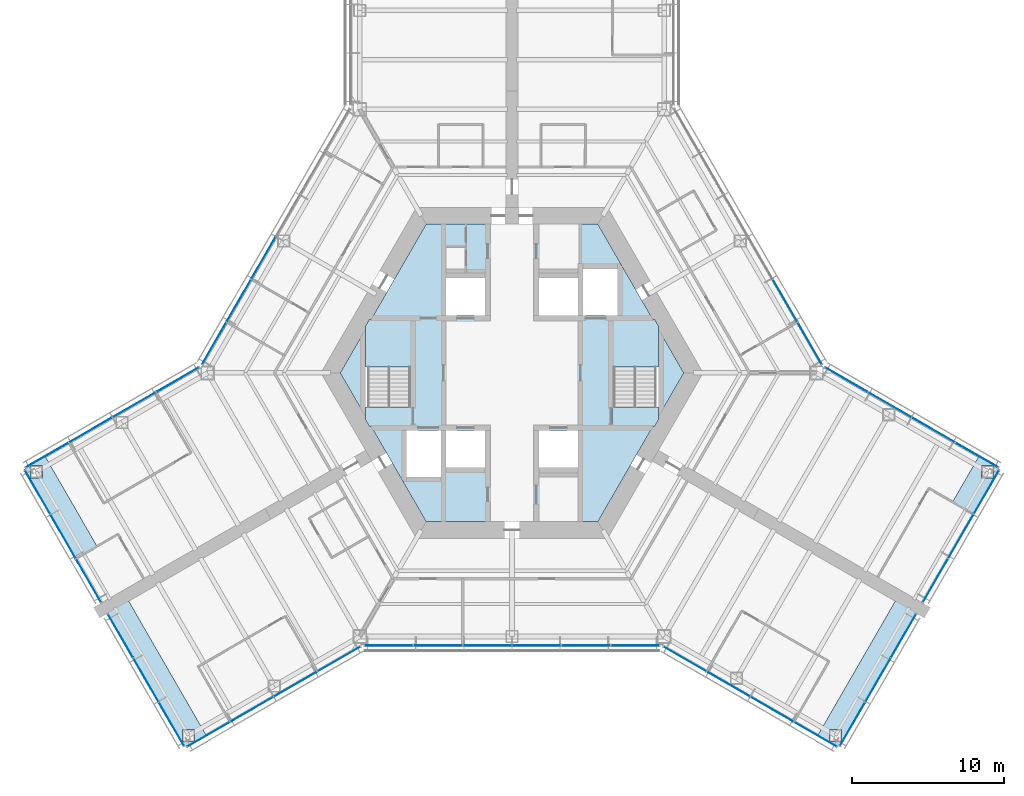
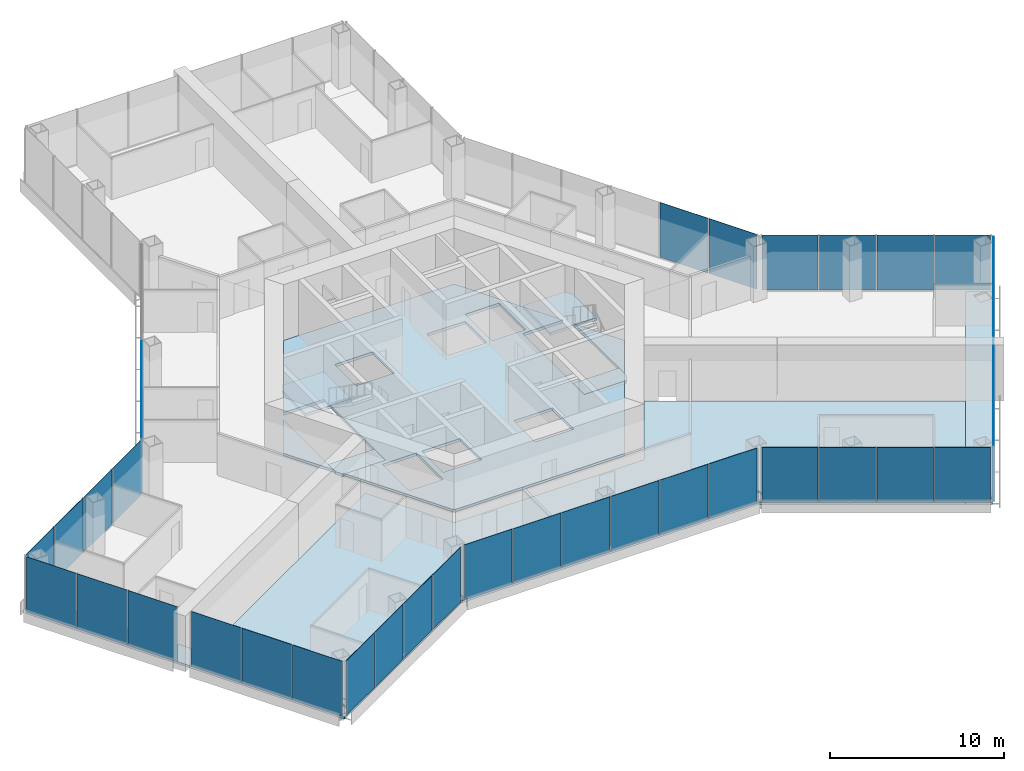
# One storey, part 10 of 18: 39 plates, 10 slabs, 13 elements without a shape of their own.
"""IFC4 building model written with IfcOpenShell, lengths in metres."""

import ifcopenshell
import ifcopenshell.guid

model = None  # the IFC model being written
_history = None  # IfcOwnerHistory: only IFC2X3 demands one
_inside = {}  # id of a spatial element -> (the spatial element, [elements in it])
_under = {}  # id of a project, library or spatial element -> (it, [spatial elements below it])
_declared = {}  # id of a project -> (the project, [libraries it declares])
_typed = {}  # id of a type object -> (the type object, [elements of that type])
_made_of = {}  # id of a material, layer set ... -> (it, [elements and type objects made of it])


def new_model(schema):
    """Start an empty IFC model of exactly this schema.

    Asked for "IFC4X3", IfcOpenShell would pick the latest addendum, in which some entities
    have other attributes; the version numbers below select the first issue.
    IFC2X3 requires an IfcOwnerHistory on every rooted entity: one is made here for all.
    """
    global model, _history
    if schema == "IFC4X3":
        model = ifcopenshell.file(schema_version=(4, 3, 0, 0))
    else:
        model = ifcopenshell.file(schema=schema)
    _inside.clear()
    _under.clear()
    _declared.clear()
    _typed.clear()
    _made_of.clear()
    _history = None
    if model.schema == "IFC2X3":
        org = make("IfcOrganization", Name="unknown")
        user = make(
            "IfcPersonAndOrganization",
            ThePerson=make("IfcPerson", FamilyName="unknown"),
            TheOrganization=org,
        )
        app = make(
            "IfcApplication",
            ApplicationDeveloper=org,
            Version="unknown",
            ApplicationFullName="unknown",
            ApplicationIdentifier="unknown",
        )
        _history = make(
            "IfcOwnerHistory",
            OwningUser=user,
            OwningApplication=app,
            ChangeAction="ADDED",
            CreationDate=0,
        )
    return model


def make(cls, **values):
    """One entity of the class cls with the attributes given. An attribute that is None is left unset."""
    return model.create_entity(
        cls, **{name: value for name, value in values.items() if value is not None}
    )


def rooted(cls, **values):
    """An entity with a GlobalId (a new one), such as an element, a storey or a relation."""
    return make(cls, GlobalId=ifcopenshell.guid.new(), OwnerHistory=_history, **values)


def si_unit(unit_type, name, prefix=None):
    """IfcSIUnit, for example si_unit("LENGTHUNIT", "METRE", prefix="MILLI")."""
    return make("IfcSIUnit", UnitType=unit_type, Prefix=prefix, Name=name)


def assignment(units):
    """IfcUnitAssignment: the units of a project."""
    return None if units is None else make("IfcUnitAssignment", Units=units)


def point(xyz):
    """IfcCartesianPoint."""
    return None if xyz is None else make("IfcCartesianPoint", Coordinates=xyz)


def direction(xyz):
    """IfcDirection."""
    return None if xyz is None else make("IfcDirection", DirectionRatios=xyz)


def frame(location, z_axis=None, x_axis=None):
    """IfcAxis2Placement3D, a coordinate frame: its origin and axes. An axis left out is left unset."""
    return make(
        "IfcAxis2Placement3D",
        Location=point(location),
        Axis=direction(z_axis),
        RefDirection=direction(x_axis),
    )


def frame_2d(location, x_axis=None):
    """IfcAxis2Placement2D, a coordinate frame in the plane: its origin and x axis."""
    return make(
        "IfcAxis2Placement2D", Location=point(location), RefDirection=direction(x_axis)
    )


def origin():
    """The frame at (0, 0, 0) with its axes left unset."""
    return frame((0.0, 0.0, 0.0))


def origin_2d():
    """The frame at (0, 0) in the plane with its x axis left unset."""
    return frame_2d((0.0, 0.0))


def place(relative_to, where):
    """IfcLocalPlacement: puts the frame where relative to a parent placement (None: the world)."""
    return make(
        "IfcLocalPlacement", PlacementRelTo=relative_to, RelativePlacement=where
    )


def context(
    kind, dimensions, precision=None, world=None, true_north=None, identifier=None
):
    """IfcGeometricRepresentationContext, for example the 3D "Model" context."""
    return make(
        "IfcGeometricRepresentationContext",
        ContextIdentifier=identifier,
        ContextType=kind,
        CoordinateSpaceDimension=dimensions,
        Precision=precision,
        WorldCoordinateSystem=world,
        TrueNorth=true_north,
    )


def subcontext(parent, identifier, kind, view, scale=None):
    """IfcGeometricRepresentationSubContext, for example "Body" below "Model"."""
    return make(
        "IfcGeometricRepresentationSubContext",
        ContextIdentifier=identifier,
        ContextType=kind,
        ParentContext=parent,
        TargetScale=scale,
        TargetView=view,
    )


def project(units=None, contexts=None):
    """IfcProject with its units and contexts."""
    return rooted(
        "IfcProject",
        Name="project",
        RepresentationContexts=contexts,
        UnitsInContext=assignment(units),
    )


def spatial(cls, under=None, at=None, **own):
    """A site, building, storey or space (cls), placed at a placement, below another one or the project."""
    s = rooted(cls, ObjectPlacement=at, **own)
    if under is not None:
        _under.setdefault(under.id(), (under, []))[1].append(s)
    return s


def polyline(points):
    """IfcPolyline through the points."""
    return make("IfcPolyline", Points=[point(p) for p in points])


def profile(cls, at=None, kind="AREA", **sizes):
    """A parametric profile (cls). Its sizes go by their IFC names, for example OverallWidth=200.0."""
    return make(cls, ProfileType=kind, Position=at, **sizes)


def rectangle(**sizes):
    """IfcRectangleProfileDef."""
    return profile("IfcRectangleProfileDef", **sizes)


def outline(outer, holes=None, kind="AREA"):
    """IfcArbitraryClosedProfileDef: a profile drawn as a closed curve; with holes, ...WithVoids."""
    if holes is None:
        return make("IfcArbitraryClosedProfileDef", ProfileType=kind, OuterCurve=outer)
    return make(
        "IfcArbitraryProfileDefWithVoids",
        ProfileType=kind,
        OuterCurve=outer,
        InnerCurves=holes,
    )


def extrude(swept, where, along, depth):
    """IfcExtrudedAreaSolid: the profile swept, set in the frame where, extruded along a direction by depth."""
    return make(
        "IfcExtrudedAreaSolid",
        SweptArea=swept,
        Position=where,
        ExtrudedDirection=direction(along),
        Depth=depth,
    )


def shape(context_of_items, identifier, shape_type, items):
    """IfcShapeRepresentation: the items that make up one representation, for example the "Body"."""
    return make(
        "IfcShapeRepresentation",
        ContextOfItems=context_of_items,
        RepresentationIdentifier=identifier,
        RepresentationType=shape_type,
        Items=items,
    )


def material(Name=None, Category=None):
    """IfcMaterial."""
    return make("IfcMaterial", Name=Name, Category=Category)


def layer(
    of_material, thickness, ventilated=None, Name=None, Category=None, Priority=None
):
    """IfcMaterialLayer: one layer of a wall or slab, of a material (None: an air gap)."""
    return make(
        "IfcMaterialLayer",
        Material=of_material,
        LayerThickness=thickness,
        IsVentilated=ventilated,
        Name=Name,
        Category=Category,
        Priority=Priority,
    )


def layer_set(layers, Name=None):
    """IfcMaterialLayerSet."""
    return make("IfcMaterialLayerSet", MaterialLayers=layers, LayerSetName=Name)


def made_of(thing, what):
    """Note that an element or type object is made of a material, layer set ...; save() writes the relation."""
    if what is not None:
        _made_of.setdefault(what.id(), (what, []))[1].append(thing)
    return thing


def type_object(cls, material=None, **own):
    """A type object (cls), such as IfcWallType, which elements share."""
    return made_of(rooted(cls, **own), material)


def element(
    cls,
    number,
    at=None,
    inside=None,
    cuts=None,
    type_object=None,
    material=None,
    context=None,
    identifier="Body",
    shape_type=None,
    held_by="IfcProductDefinitionShape",
    body=None,
    shapes=None,
    **own,
):
    """One element of the class cls, such as IfcWall. Its Tag is "e" and its number.

    at: its placement. inside: the storey or other place that contains it. cuts: it is an
    opening in that element (IfcRelVoidsElement). A single representation is given by context,
    identifier, shape_type and body (its items); several are given by shapes. held_by: the class
    of the entity that holds the representations. save() writes the other relations.
    """
    e = rooted(cls, Tag="e%d" % number, ObjectPlacement=at, **own)
    if body is not None:
        shapes = [shape(context, identifier, shape_type, body)]
    if shapes is not None:
        e.Representation = make(held_by, Representations=shapes)
    if inside is not None:
        _inside.setdefault(inside.id(), (inside, []))[1].append(e)
    if cuts is not None:
        rooted(
            "IfcRelVoidsElement", RelatingBuildingElement=cuts, RelatedOpeningElement=e
        )
    if type_object is not None:
        _typed.setdefault(type_object.id(), (type_object, []))[1].append(e)
    return made_of(e, material)


def aggregate(whole, parts):
    """IfcRelAggregates: a whole, such as a stair, and the parts it consists of."""
    return rooted("IfcRelAggregates", RelatingObject=whole, RelatedObjects=parts)


def save(model, path):
    """Write the relations noted so far, then the file.

    IfcRelAggregates (storeys below a building ...), IfcRelContainedInSpatialStructure (elements
    in a storey), IfcRelDefinesByType, IfcRelAssociatesMaterial and IfcRelDeclares: one each for
    every whole, place, type object, material and project.
    """
    for whole, parts in _under.values():
        aggregate(whole, parts)
    for where, things in _inside.values():
        rooted(
            "IfcRelContainedInSpatialStructure",
            RelatedElements=things,
            RelatingStructure=where,
        )
    for kind, things in _typed.values():
        rooted("IfcRelDefinesByType", RelatedObjects=things, RelatingType=kind)
    for what, things in _made_of.values():
        rooted("IfcRelAssociatesMaterial", RelatedObjects=things, RelatingMaterial=what)
    for by, libraries in _declared.values():
        rooted("IfcRelDeclares", RelatingContext=by, RelatedDefinitions=libraries)
    model.write(path)


model = new_model("IFC4")

# Units and contexts
model_context = context("Model", 3, precision=1e-05, world=origin(), true_north=direction((0.0, 1.0)))
body_context = subcontext(model_context, "Body", "Model", "MODEL_VIEW")
ifc_project = project(units=[si_unit("LENGTHUNIT", "METRE"), si_unit("AREAUNIT", "SQUARE_METRE"), si_unit("VOLUMEUNIT", "CUBIC_METRE"), si_unit("PLANEANGLEUNIT", "RADIAN"), si_unit("MASSUNIT", "GRAM", prefix="KILO")], contexts=[model_context])

# Site, building, storey
site_placement = place(None, origin())
site = spatial("IfcSite", under=ifc_project, at=site_placement, CompositionType="ELEMENT")
building_placement = place(site_placement, origin())
building = spatial("IfcBuilding", under=site, at=building_placement, Name="Kasaneha Research Tower", CompositionType="ELEMENT")
storey_placement = place(building_placement, frame((0.0, 0.0, 72.89990234375)))
storey = spatial("IfcBuildingStorey", under=building, at=storey_placement, Name="L18", CompositionType="ELEMENT", Elevation=72.89990234375)

# Curtain wall, plates
ifc_material_1 = material(Name="Glass and aluminium", Category="aluminium")
curtain_wall_type = type_object("IfcCurtainWallType", Name="Low-rise office curtain wall", PredefinedType="USERDEFINED", material=ifc_material_1)
curtain_wall_1_placement = place(storey_placement, origin())
curtain_wall_1 = element("IfcCurtainWall", 1, at=curtain_wall_1_placement, inside=storey, type_object=curtain_wall_type, Name="CW-O1 L18 run 01a", ObjectType="UNITISED CURTAIN WALL", PredefinedType="USERDEFINED")
ifc_material_2 = material(Name="Laminated double glazing", Category="glass")
ifc_layer_1 = layer(ifc_material_2, 0.028076171875)
ifc_layer_set_1 = layer_set([ifc_layer_1], Name="CW-O1 glazed panel")
plate_type = type_object("IfcPlateType", Name="CW-O1 glazed panel", PredefinedType="CURTAIN_PANEL", material=ifc_layer_set_1)
plate_1_placement = place(storey_placement, frame((-19.945068359375, -23.755126953125, 0.06005859375), z_axis=(0.0, 0.0, 1.0), x_axis=(0.866025411464, 0.499999986699, 0.0)))
plate_1 = element("IfcPlate", 2, at=plate_1_placement, type_object=plate_type, Name="CW-O1 panel 1", PredefinedType="CURTAIN_PANEL", context=body_context, shape_type="SweptSolid", body=[
    extrude(rectangle(XDim=3.2197265625, YDim=0.028076171875, at=origin_2d()), origin(), (0.0, 0.0, 1.0), 3.840087890625),
])
plate_2_placement = place(storey_placement, frame((-17.091796875, -22.107666015625, 0.06005859375), z_axis=(0.0, 0.0, 1.0), x_axis=(0.866025411464, 0.499999986699, 0.0)))
plate_2 = element("IfcPlate", 3, at=plate_2_placement, type_object=plate_type, Name="CW-O1 panel 2", PredefinedType="CURTAIN_PANEL", context=body_context, shape_type="SweptSolid", body=[
    extrude(rectangle(XDim=3.249755859375, YDim=0.028076171875, at=origin_2d()), origin(), (0.0, 0.0, 1.0), 3.840087890625),
])
plate_3_placement = place(storey_placement, frame((-14.225341796875, -20.452880859375, 0.06005859375), z_axis=(0.0, 0.0, 1.0), x_axis=(0.866025411464, 0.499999986699, 0.0)))
plate_3 = element("IfcPlate", 4, at=plate_3_placement, type_object=plate_type, Name="CW-O1 panel 3", PredefinedType="CURTAIN_PANEL", context=body_context, shape_type="SweptSolid", body=[
    extrude(rectangle(XDim=3.249755859375, YDim=0.028076171875, at=origin_2d()), origin(), (0.0, 0.0, 1.0), 3.840087890625),
])
plate_4_placement = place(storey_placement, frame((-11.3720703125, -18.805419921875, 0.06005859375), z_axis=(0.0, 0.0, 1.0), x_axis=(0.866025411464, 0.499999986699, 0.0)))
plate_4 = element("IfcPlate", 5, at=plate_4_placement, type_object=plate_type, Name="CW-O1 panel 4", PredefinedType="CURTAIN_PANEL", context=body_context, shape_type="SweptSolid", body=[
    extrude(rectangle(XDim=3.2197265625, YDim=0.028076171875, at=origin_2d()), origin(), (0.0, 0.0, 1.0), 3.840087890625),
])
aggregate(curtain_wall_1, [plate_1, plate_2, plate_3, plate_4])

curtain_wall_2_placement = place(storey_placement, origin())
curtain_wall_2 = element("IfcCurtainWall", 6, at=curtain_wall_2_placement, inside=storey, type_object=curtain_wall_type, Name="CW-O1 L18 run 02a", ObjectType="UNITISED CURTAIN WALL", PredefinedType="USERDEFINED")
plate_5_placement = place(storey_placement, frame((-8.10107421875, -17.92041015625, 0.06005859375), z_axis=(0.0, 0.0, 1.0), x_axis=(1.0, 0.0, 0.0)))
plate_5 = element("IfcPlate", 7, at=plate_5_placement, type_object=plate_type, Name="CW-O1 panel 1", PredefinedType="CURTAIN_PANEL", context=body_context, shape_type="SweptSolid", body=[
    extrude(rectangle(XDim=3.156494140625, YDim=0.028076171875, at=origin_2d()), origin(), (0.0, 0.0, 1.0), 3.840087890625),
])
plate_6_placement = place(storey_placement, frame((-4.86962890625, -17.92041015625, 0.06005859375), z_axis=(0.0, 0.0, 1.0), x_axis=(1.0, 0.0, 0.0)))
plate_6 = element("IfcPlate", 8, at=plate_6_placement, type_object=plate_type, Name="CW-O1 panel 2", PredefinedType="CURTAIN_PANEL", context=body_context, shape_type="SweptSolid", body=[
    extrude(rectangle(XDim=3.1865234375, YDim=0.028076171875, at=origin_2d()), origin(), (0.0, 0.0, 1.0), 3.840087890625),
])
plate_7_placement = place(storey_placement, frame((-1.623291015625, -17.92041015625, 0.06005859375), z_axis=(0.0, 0.0, 1.0), x_axis=(1.0, 0.0, 0.0)))
plate_7 = element("IfcPlate", 9, at=plate_7_placement, type_object=plate_type, Name="CW-O1 panel 3", PredefinedType="CURTAIN_PANEL", context=body_context, shape_type="SweptSolid", body=[
    extrude(rectangle(XDim=3.1865234375, YDim=0.028076171875, at=origin_2d()), origin(), (0.0, 0.0, 1.0), 3.840087890625),
])
plate_8_placement = place(storey_placement, frame((1.623291015625, -17.92041015625, 0.06005859375), z_axis=(0.0, 0.0, 1.0), x_axis=(1.0, 0.0, 0.0)))
plate_8 = element("IfcPlate", 10, at=plate_8_placement, type_object=plate_type, Name="CW-O1 panel 4", PredefinedType="CURTAIN_PANEL", context=body_context, shape_type="SweptSolid", body=[
    extrude(rectangle(XDim=3.1865234375, YDim=0.028076171875, at=origin_2d()), origin(), (0.0, 0.0, 1.0), 3.840087890625),
])
plate_9_placement = place(storey_placement, frame((4.86962890625, -17.92041015625, 0.06005859375), z_axis=(0.0, 0.0, 1.0), x_axis=(1.0, 0.0, 0.0)))
plate_9 = element("IfcPlate", 11, at=plate_9_placement, type_object=plate_type, Name="CW-O1 panel 5", PredefinedType="CURTAIN_PANEL", context=body_context, shape_type="SweptSolid", body=[
    extrude(rectangle(XDim=3.1865234375, YDim=0.028076171875, at=origin_2d()), origin(), (0.0, 0.0, 1.0), 3.840087890625),
])
plate_10_placement = place(storey_placement, frame((8.10107421875, -17.92041015625, 0.06005859375), z_axis=(0.0, 0.0, 1.0), x_axis=(1.0, 0.0, 0.0)))
plate_10 = element("IfcPlate", 12, at=plate_10_placement, type_object=plate_type, Name="CW-O1 panel 6", PredefinedType="CURTAIN_PANEL", context=body_context, shape_type="SweptSolid", body=[
    extrude(rectangle(XDim=3.156494140625, YDim=0.028076171875, at=origin_2d()), origin(), (0.0, 0.0, 1.0), 3.840087890625),
])
aggregate(curtain_wall_2, [plate_5, plate_6, plate_7, plate_8, plate_9, plate_10])

curtain_wall_3_placement = place(storey_placement, origin())
curtain_wall_3 = element("IfcCurtainWall", 13, at=curtain_wall_3_placement, inside=storey, type_object=curtain_wall_type, Name="CW-O1 L18 run 03a", ObjectType="UNITISED CURTAIN WALL", PredefinedType="USERDEFINED")
plate_11_placement = place(storey_placement, frame((11.3720703125, -18.805419921875, 0.06005859375), z_axis=(0.0, 0.0, 1.0), x_axis=(0.866025411464, -0.499999986699, 0.0)))
plate_11 = element("IfcPlate", 14, at=plate_11_placement, type_object=plate_type, Name="CW-O1 panel 1", PredefinedType="CURTAIN_PANEL", context=body_context, shape_type="SweptSolid", body=[
    extrude(rectangle(XDim=3.2197265625, YDim=0.028076171875, at=origin_2d()), origin(), (0.0, 0.0, 1.0), 3.840087890625),
])
plate_12_placement = place(storey_placement, frame((14.225341796875, -20.452880859375, 0.06005859375), z_axis=(0.0, 0.0, 1.0), x_axis=(0.866025411464, -0.499999986699, 0.0)))
plate_12 = element("IfcPlate", 15, at=plate_12_placement, type_object=plate_type, Name="CW-O1 panel 2", PredefinedType="CURTAIN_PANEL", context=body_context, shape_type="SweptSolid", body=[
    extrude(rectangle(XDim=3.249755859375, YDim=0.028076171875, at=origin_2d()), origin(), (0.0, 0.0, 1.0), 3.840087890625),
])
plate_13_placement = place(storey_placement, frame((17.091796875, -22.107666015625, 0.06005859375), z_axis=(0.0, 0.0, 1.0), x_axis=(0.866025411464, -0.499999986699, 0.0)))
plate_13 = element("IfcPlate", 16, at=plate_13_placement, type_object=plate_type, Name="CW-O1 panel 3", PredefinedType="CURTAIN_PANEL", context=body_context, shape_type="SweptSolid", body=[
    extrude(rectangle(XDim=3.249755859375, YDim=0.028076171875, at=origin_2d()), origin(), (0.0, 0.0, 1.0), 3.840087890625),
])
plate_14_placement = place(storey_placement, frame((19.945068359375, -23.755126953125, 0.06005859375), z_axis=(0.0, 0.0, 1.0), x_axis=(0.866025411464, -0.499999986699, 0.0)))
plate_14 = element("IfcPlate", 17, at=plate_14_placement, type_object=plate_type, Name="CW-O1 panel 4", PredefinedType="CURTAIN_PANEL", context=body_context, shape_type="SweptSolid", body=[
    extrude(rectangle(XDim=3.2197265625, YDim=0.028076171875, at=origin_2d()), origin(), (0.0, 0.0, 1.0), 3.840087890625),
])
aggregate(curtain_wall_3, [plate_11, plate_12, plate_13, plate_14])

curtain_wall_4_placement = place(storey_placement, origin())
curtain_wall_4 = element("IfcCurtainWall", 18, at=curtain_wall_4_placement, inside=storey, type_object=curtain_wall_type, Name="CW-O1 L18 run 04a", ObjectType="UNITISED CURTAIN WALL", PredefinedType="USERDEFINED")
plate_15_placement = place(storey_placement, frame((22.377197265625, -23.082763671875, 0.06005859375), z_axis=(0.0, 0.0, 1.0), x_axis=(0.500000011442, 0.866025397178, 0.0)))
plate_15 = element("IfcPlate", 19, at=plate_15_placement, type_object=plate_type, Name="CW-O1 panel 1", PredefinedType="CURTAIN_PANEL", context=body_context, shape_type="SweptSolid", body=[
    extrude(rectangle(XDim=3.276611328125, YDim=0.028076171875, at=origin_2d()), origin(), (0.0, 0.0, 1.0), 3.840087890625),
])
plate_16_placement = place(storey_placement, frame((24.052978515625, -20.18017578125, 0.06005859375), z_axis=(0.0, 0.0, 1.0), x_axis=(0.500000011442, 0.866025397178, 0.0)))
plate_16 = element("IfcPlate", 20, at=plate_16_placement, type_object=plate_type, Name="CW-O1 panel 2", PredefinedType="CURTAIN_PANEL", context=body_context, shape_type="SweptSolid", body=[
    extrude(rectangle(XDim=3.306640625, YDim=0.028076171875, at=origin_2d()), origin(), (0.0, 0.0, 1.0), 3.840087890625),
])
plate_17_placement = place(storey_placement, frame((25.728759765625, -17.27734375, 0.06005859375), z_axis=(0.0, 0.0, 1.0), x_axis=(0.500000011442, 0.866025397178, 0.0)))
plate_17 = element("IfcPlate", 21, at=plate_17_placement, type_object=plate_type, Name="CW-O1 panel 3", PredefinedType="CURTAIN_PANEL", context=body_context, shape_type="SweptSolid", body=[
    extrude(rectangle(XDim=3.276611328125, YDim=0.028076171875, at=origin_2d()), origin(), (0.0, 0.0, 1.0), 3.840087890625),
])
aggregate(curtain_wall_4, [plate_15, plate_16, plate_17])

curtain_wall_5_placement = place(storey_placement, origin())
curtain_wall_5 = element("IfcCurtainWall", 22, at=curtain_wall_5_placement, inside=storey, type_object=curtain_wall_type, Name="CW-O1 L18 run 05a", ObjectType="UNITISED CURTAIN WALL", PredefinedType="USERDEFINED")
plate_18_placement = place(storey_placement, frame((27.8271484375, -13.64306640625, 0.06005859375), z_axis=(0.0, 0.0, 1.0), x_axis=(0.500000011442, 0.866025397178, 0.0)))
plate_18 = element("IfcPlate", 23, at=plate_18_placement, type_object=plate_type, Name="CW-O1 panel 1", PredefinedType="CURTAIN_PANEL", context=body_context, shape_type="SweptSolid", body=[
    extrude(rectangle(XDim=3.276611328125, YDim=0.028076171875, at=origin_2d()), origin(), (0.0, 0.0, 1.0), 3.840087890625),
])
plate_19_placement = place(storey_placement, frame((29.5029296875, -10.740478515625, 0.06005859375), z_axis=(0.0, 0.0, 1.0), x_axis=(0.500000011442, 0.866025397178, 0.0)))
plate_19 = element("IfcPlate", 24, at=plate_19_placement, type_object=plate_type, Name="CW-O1 panel 2", PredefinedType="CURTAIN_PANEL", context=body_context, shape_type="SweptSolid", body=[
    extrude(rectangle(XDim=3.306640625, YDim=0.028076171875, at=origin_2d()), origin(), (0.0, 0.0, 1.0), 3.840087890625),
])
plate_20_placement = place(storey_placement, frame((31.1787109375, -7.837890625, 0.06005859375), z_axis=(0.0, 0.0, 1.0), x_axis=(0.500000011442, 0.866025397178, 0.0)))
plate_20 = element("IfcPlate", 25, at=plate_20_placement, type_object=plate_type, Name="CW-O1 panel 3", PredefinedType="CURTAIN_PANEL", context=body_context, shape_type="SweptSolid", body=[
    extrude(rectangle(XDim=3.276611328125, YDim=0.028076171875, at=origin_2d()), origin(), (0.0, 0.0, 1.0), 3.840087890625),
])
aggregate(curtain_wall_5, [plate_18, plate_19, plate_20])

curtain_wall_6_placement = place(storey_placement, origin())
curtain_wall_6 = element("IfcCurtainWall", 26, at=curtain_wall_6_placement, inside=storey, type_object=curtain_wall_type, Name="CW-O1 L18 run 06a", ObjectType="UNITISED CURTAIN WALL", PredefinedType="USERDEFINED")
plate_21_placement = place(storey_placement, frame((30.545166015625, -5.3955078125, 0.06005859375), z_axis=(0.0, 0.0, 1.0), x_axis=(-0.866025411464, 0.499999986699, 0.0)))
plate_21 = element("IfcPlate", 27, at=plate_21_placement, type_object=plate_type, Name="CW-O1 panel 1", PredefinedType="CURTAIN_PANEL", context=body_context, shape_type="SweptSolid", body=[
    extrude(rectangle(XDim=3.2197265625, YDim=0.028076171875, at=origin_2d()), origin(), (0.0, 0.0, 1.0), 3.840087890625),
])
plate_22_placement = place(storey_placement, frame((27.69189453125, -3.748046875, 0.06005859375), z_axis=(0.0, 0.0, 1.0), x_axis=(-0.866025411464, 0.499999986699, 0.0)))
plate_22 = element("IfcPlate", 28, at=plate_22_placement, type_object=plate_type, Name="CW-O1 panel 2", PredefinedType="CURTAIN_PANEL", context=body_context, shape_type="SweptSolid", body=[
    extrude(rectangle(XDim=3.249755859375, YDim=0.028076171875, at=origin_2d()), origin(), (0.0, 0.0, 1.0), 3.840087890625),
])
plate_23_placement = place(storey_placement, frame((24.825439453125, -2.093017578125, 0.06005859375), z_axis=(0.0, 0.0, 1.0), x_axis=(-0.866025411464, 0.499999986699, 0.0)))
plate_23 = element("IfcPlate", 29, at=plate_23_placement, type_object=plate_type, Name="CW-O1 panel 3", PredefinedType="CURTAIN_PANEL", context=body_context, shape_type="SweptSolid", body=[
    extrude(rectangle(XDim=3.249755859375, YDim=0.028076171875, at=origin_2d()), origin(), (0.0, 0.0, 1.0), 3.840087890625),
])
plate_24_placement = place(storey_placement, frame((21.971923828125, -0.44580078125, 0.06005859375), z_axis=(0.0, 0.0, 1.0), x_axis=(-0.866025411464, 0.499999986699, 0.0)))
plate_24 = element("IfcPlate", 30, at=plate_24_placement, type_object=plate_type, Name="CW-O1 panel 4", PredefinedType="CURTAIN_PANEL", context=body_context, shape_type="SweptSolid", body=[
    extrude(rectangle(XDim=3.2197265625, YDim=0.028076171875, at=origin_2d()), origin(), (0.0, 0.0, 1.0), 3.840087890625),
])
aggregate(curtain_wall_6, [plate_21, plate_22, plate_23, plate_24])

curtain_wall_7_placement = place(storey_placement, origin())
curtain_wall_7 = element("IfcCurtainWall", 31, at=curtain_wall_7_placement, inside=storey, type_object=curtain_wall_type, Name="CW-O1 L18 run 07a", ObjectType="UNITISED CURTAIN WALL", PredefinedType="USERDEFINED")
plate_25_placement = place(storey_placement, frame((19.570068359375, 1.944580078125, 0.06005859375), z_axis=(0.0, 0.0, 1.0), x_axis=(-0.49999996188, 0.866025425793, 0.0)))
plate_25 = element("IfcPlate", 32, at=plate_25_placement, type_object=plate_type, Name="CW-O1 panel 1", PredefinedType="CURTAIN_PANEL", context=body_context, shape_type="SweptSolid", body=[
    extrude(rectangle(XDim=3.156494140625, YDim=0.028076171875, at=origin_2d()), origin(), (0.0, 0.0, 1.0), 3.840087890625),
])
plate_26_placement = place(storey_placement, frame((17.954345703125, 4.7431640625, 0.06005859375), z_axis=(0.0, 0.0, 1.0), x_axis=(-0.49999996188, 0.866025425793, 0.0)))
plate_26 = element("IfcPlate", 33, at=plate_26_placement, type_object=plate_type, Name="CW-O1 panel 2", PredefinedType="CURTAIN_PANEL", context=body_context, shape_type="SweptSolid", body=[
    extrude(rectangle(XDim=3.1865234375, YDim=0.028076171875, at=origin_2d()), origin(), (0.0, 0.0, 1.0), 3.840087890625),
])
aggregate(curtain_wall_7, [plate_25, plate_26])

curtain_wall_8_placement = place(storey_placement, origin())
curtain_wall_8 = element("IfcCurtainWall", 34, at=curtain_wall_8_placement, inside=storey, type_object=curtain_wall_type, Name="CW-O1 L18 run 12a", ObjectType="UNITISED CURTAIN WALL", PredefinedType="USERDEFINED")
plate_27_placement = place(storey_placement, frame((-16.331298828125, 7.554443359375, 0.06005859375), z_axis=(0.0, 0.0, 1.0), x_axis=(-0.49999996188, -0.866025425793, 0.0)))
plate_27 = element("IfcPlate", 35, at=plate_27_placement, type_object=plate_type, Name="CW-O1 panel 4", PredefinedType="CURTAIN_PANEL", context=body_context, shape_type="SweptSolid", body=[
    extrude(rectangle(XDim=3.1865234375, YDim=0.028076171875, at=origin_2d()), origin(), (0.0, 0.0, 1.0), 3.840087890625),
])
plate_28_placement = place(storey_placement, frame((-17.954345703125, 4.7431640625, 0.06005859375), z_axis=(0.0, 0.0, 1.0), x_axis=(-0.49999996188, -0.866025425793, 0.0)))
plate_28 = element("IfcPlate", 36, at=plate_28_placement, type_object=plate_type, Name="CW-O1 panel 5", PredefinedType="CURTAIN_PANEL", context=body_context, shape_type="SweptSolid", body=[
    extrude(rectangle(XDim=3.1865234375, YDim=0.028076171875, at=origin_2d()), origin(), (0.0, 0.0, 1.0), 3.840087890625),
])
plate_29_placement = place(storey_placement, frame((-19.570068359375, 1.944580078125, 0.06005859375), z_axis=(0.0, 0.0, 1.0), x_axis=(-0.49999996188, -0.866025425793, 0.0)))
plate_29 = element("IfcPlate", 37, at=plate_29_placement, type_object=plate_type, Name="CW-O1 panel 6", PredefinedType="CURTAIN_PANEL", context=body_context, shape_type="SweptSolid", body=[
    extrude(rectangle(XDim=3.156494140625, YDim=0.028076171875, at=origin_2d()), origin(), (0.0, 0.0, 1.0), 3.840087890625),
])
aggregate(curtain_wall_8, [plate_27, plate_28, plate_29])

curtain_wall_9_placement = place(storey_placement, origin())
curtain_wall_9 = element("IfcCurtainWall", 38, at=curtain_wall_9_placement, inside=storey, type_object=curtain_wall_type, Name="CW-O1 L18 run 13a", ObjectType="UNITISED CURTAIN WALL", PredefinedType="USERDEFINED")
plate_30_placement = place(storey_placement, frame((-21.971923828125, -0.44580078125, 0.06005859375), z_axis=(0.0, 0.0, 1.0), x_axis=(-0.866025411464, -0.499999986699, 0.0)))
plate_30 = element("IfcPlate", 39, at=plate_30_placement, type_object=plate_type, Name="CW-O1 panel 1", PredefinedType="CURTAIN_PANEL", context=body_context, shape_type="SweptSolid", body=[
    extrude(rectangle(XDim=3.2197265625, YDim=0.028076171875, at=origin_2d()), origin(), (0.0, 0.0, 1.0), 3.840087890625),
])
plate_31_placement = place(storey_placement, frame((-24.825439453125, -2.093017578125, 0.06005859375), z_axis=(0.0, 0.0, 1.0), x_axis=(-0.866025411464, -0.499999986699, 0.0)))
plate_31 = element("IfcPlate", 40, at=plate_31_placement, type_object=plate_type, Name="CW-O1 panel 2", PredefinedType="CURTAIN_PANEL", context=body_context, shape_type="SweptSolid", body=[
    extrude(rectangle(XDim=3.249755859375, YDim=0.028076171875, at=origin_2d()), origin(), (0.0, 0.0, 1.0), 3.840087890625),
])
plate_32_placement = place(storey_placement, frame((-27.69189453125, -3.748046875, 0.06005859375), z_axis=(0.0, 0.0, 1.0), x_axis=(-0.866025411464, -0.499999986699, 0.0)))
plate_32 = element("IfcPlate", 41, at=plate_32_placement, type_object=plate_type, Name="CW-O1 panel 3", PredefinedType="CURTAIN_PANEL", context=body_context, shape_type="SweptSolid", body=[
    extrude(rectangle(XDim=3.249755859375, YDim=0.028076171875, at=origin_2d()), origin(), (0.0, 0.0, 1.0), 3.840087890625),
])
plate_33_placement = place(storey_placement, frame((-30.545166015625, -5.3955078125, 0.06005859375), z_axis=(0.0, 0.0, 1.0), x_axis=(-0.866025411464, -0.499999986699, 0.0)))
plate_33 = element("IfcPlate", 42, at=plate_33_placement, type_object=plate_type, Name="CW-O1 panel 4", PredefinedType="CURTAIN_PANEL", context=body_context, shape_type="SweptSolid", body=[
    extrude(rectangle(XDim=3.2197265625, YDim=0.028076171875, at=origin_2d()), origin(), (0.0, 0.0, 1.0), 3.840087890625),
])
aggregate(curtain_wall_9, [plate_30, plate_31, plate_32, plate_33])

curtain_wall_10_placement = place(storey_placement, origin())
curtain_wall_10 = element("IfcCurtainWall", 43, at=curtain_wall_10_placement, inside=storey, type_object=curtain_wall_type, Name="CW-O1 L18 run 14a", ObjectType="UNITISED CURTAIN WALL", PredefinedType="USERDEFINED")
plate_34_placement = place(storey_placement, frame((-31.1787109375, -7.837890625, 0.06005859375), z_axis=(0.0, 0.0, 1.0), x_axis=(0.500000011442, -0.866025397178, 0.0)))
plate_34 = element("IfcPlate", 44, at=plate_34_placement, type_object=plate_type, Name="CW-O1 panel 1", PredefinedType="CURTAIN_PANEL", context=body_context, shape_type="SweptSolid", body=[
    extrude(rectangle(XDim=3.276611328125, YDim=0.028076171875, at=origin_2d()), origin(), (0.0, 0.0, 1.0), 3.840087890625),
])
plate_35_placement = place(storey_placement, frame((-29.5029296875, -10.740478515625, 0.06005859375), z_axis=(0.0, 0.0, 1.0), x_axis=(0.500000011442, -0.866025397178, 0.0)))
plate_35 = element("IfcPlate", 45, at=plate_35_placement, type_object=plate_type, Name="CW-O1 panel 2", PredefinedType="CURTAIN_PANEL", context=body_context, shape_type="SweptSolid", body=[
    extrude(rectangle(XDim=3.306640625, YDim=0.028076171875, at=origin_2d()), origin(), (0.0, 0.0, 1.0), 3.840087890625),
])
plate_36_placement = place(storey_placement, frame((-27.8271484375, -13.64306640625, 0.06005859375), z_axis=(0.0, 0.0, 1.0), x_axis=(0.500000011442, -0.866025397178, 0.0)))
plate_36 = element("IfcPlate", 46, at=plate_36_placement, type_object=plate_type, Name="CW-O1 panel 3", PredefinedType="CURTAIN_PANEL", context=body_context, shape_type="SweptSolid", body=[
    extrude(rectangle(XDim=3.276611328125, YDim=0.028076171875, at=origin_2d()), origin(), (0.0, 0.0, 1.0), 3.840087890625),
])
aggregate(curtain_wall_10, [plate_34, plate_35, plate_36])

curtain_wall_11_placement = place(storey_placement, origin())
curtain_wall_11 = element("IfcCurtainWall", 47, at=curtain_wall_11_placement, inside=storey, type_object=curtain_wall_type, Name="CW-O1 L18 run 15a", ObjectType="UNITISED CURTAIN WALL", PredefinedType="USERDEFINED")
plate_37_placement = place(storey_placement, frame((-25.728759765625, -17.27734375, 0.06005859375), z_axis=(0.0, 0.0, 1.0), x_axis=(0.500000011442, -0.866025397178, 0.0)))
plate_37 = element("IfcPlate", 48, at=plate_37_placement, type_object=plate_type, Name="CW-O1 panel 1", PredefinedType="CURTAIN_PANEL", context=body_context, shape_type="SweptSolid", body=[
    extrude(rectangle(XDim=3.276611328125, YDim=0.028076171875, at=origin_2d()), origin(), (0.0, 0.0, 1.0), 3.840087890625),
])
plate_38_placement = place(storey_placement, frame((-24.052978515625, -20.18017578125, 0.06005859375), z_axis=(0.0, 0.0, 1.0), x_axis=(0.500000011442, -0.866025397178, 0.0)))
plate_38 = element("IfcPlate", 49, at=plate_38_placement, type_object=plate_type, Name="CW-O1 panel 2", PredefinedType="CURTAIN_PANEL", context=body_context, shape_type="SweptSolid", body=[
    extrude(rectangle(XDim=3.306640625, YDim=0.028076171875, at=origin_2d()), origin(), (0.0, 0.0, 1.0), 3.840087890625),
])
plate_39_placement = place(storey_placement, frame((-22.377197265625, -23.082763671875, 0.06005859375), z_axis=(0.0, 0.0, 1.0), x_axis=(0.500000011442, -0.866025397178, 0.0)))
plate_39 = element("IfcPlate", 50, at=plate_39_placement, type_object=plate_type, Name="CW-O1 panel 3", PredefinedType="CURTAIN_PANEL", context=body_context, shape_type="SweptSolid", body=[
    extrude(rectangle(XDim=3.276611328125, YDim=0.028076171875, at=origin_2d()), origin(), (0.0, 0.0, 1.0), 3.840087890625),
])
aggregate(curtain_wall_11, [plate_37, plate_38, plate_39])

# Slabs
ifc_material_3 = material(Name="Concrete Fc24", Category="concrete")
ifc_layer_2 = layer(ifc_material_3, 0.199951171875)
ifc_layer_set_2 = layer_set([ifc_layer_2], Name="Core floor slab 200")
slab_type_1 = type_object("IfcSlabType", Name="Core floor slab 200", PredefinedType="FLOOR", material=ifc_layer_set_2)
slab_1_placement = place(storey_placement, frame((0.0, 0.0, -0.199951171875)))
element("IfcSlab", 51, at=slab_1_placement, inside=storey, type_object=slab_type_1, Name="Core slab L18", PredefinedType="FLOOR", context=body_context, shape_type="SweptSolid", body=[
    extrude(outline(polyline([(-11.287109375, 0.0), (-9.625, 2.87890625), (-9.625, -2.87890625), (-11.287109375, 0.0)])), origin(), (0.0, 0.0, 1.0), 0.199951171875),
])
slab_2_placement = place(storey_placement, frame((0.0, 0.0, -0.199951171875)))
element("IfcSlab", 52, at=slab_2_placement, inside=storey, type_object=slab_type_1, Name="Core slab L18", PredefinedType="FLOOR", context=body_context, shape_type="SweptSolid", body=[
    extrude(outline(polyline([(-5.6435546875, 9.77490234375), (5.6435546875, 9.77490234375), (9.251953125, 3.52490234375), (6.574951171875, 3.52490234375), (6.574951171875, -3.52490234375), (9.251953125, -3.52490234375), (5.6435546875, -9.77490234375), (-5.6435546875, -9.77490234375), (-9.251953125, -3.52490234375), (-6.574951171875, -3.52490234375), (-6.574951171875, 3.52490234375), (-9.251953125, 3.52490234375), (-5.6435546875, 9.77490234375)]), holes=[polyline([(-6.925048828125, -3.77490234375), (-6.925048828125, -6.824951171875), (-4.675048828125, -6.824951171875), (-4.675048828125, -3.77490234375), (-6.925048828125, -3.77490234375)]), polyline([(-4.324951171875, -3.77490234375), (-4.324951171875, -6.22509765625), (-1.77490234375, -6.22509765625), (-1.77490234375, -3.77490234375), (-4.324951171875, -3.77490234375)]), polyline([(1.77490234375, -3.77490234375), (1.77490234375, -6.22509765625), (4.324951171875, -6.22509765625), (4.324951171875, -3.77490234375), (1.77490234375, -3.77490234375)]), polyline([(-4.324951171875, 6.22509765625), (-4.324951171875, 3.77490234375), (-1.77490234375, 3.77490234375), (-1.77490234375, 6.22509765625), (-4.324951171875, 6.22509765625)]), polyline([(1.77490234375, 6.22509765625), (1.77490234375, 3.77490234375), (4.324951171875, 3.77490234375), (4.324951171875, 6.22509765625), (1.77490234375, 6.22509765625)]), polyline([(4.675048828125, 6.824951171875), (4.675048828125, 3.77490234375), (6.925048828125, 3.77490234375), (6.925048828125, 6.824951171875), (4.675048828125, 6.824951171875)])]), origin(), (0.0, 0.0, 1.0), 0.199951171875),
])
slab_3_placement = place(storey_placement, frame((0.0, 0.0, -0.199951171875)))
element("IfcSlab", 53, at=slab_3_placement, inside=storey, type_object=slab_type_1, Name="Core slab L18", PredefinedType="FLOOR", context=body_context, shape_type="SweptSolid", body=[
    extrude(outline(polyline([(11.287109375, 0.0), (9.625, -2.87890625), (9.625, 2.87890625), (11.287109375, 0.0)])), origin(), (0.0, 0.0, 1.0), 0.199951171875),
])
ifc_material_4 = material(Name="Concrete Fc24", Category="concrete")
ifc_layer_3 = layer(ifc_material_4, 0.14990234375)
ifc_layer_set_3 = layer_set([ifc_layer_3], Name="Floor slab 150")
slab_type_2 = type_object("IfcSlabType", Name="Floor slab 150", PredefinedType="FLOOR", material=ifc_layer_set_3)
slab_4_placement = place(storey_placement, frame((0.0, 0.0, -0.14990234375)))
element("IfcSlab", 54, at=slab_4_placement, inside=storey, type_object=slab_type_2, Name="Floor slab L18 1", PredefinedType="FLOOR", context=body_context, shape_type="SweptSolid", body=[
    extrude(outline(polyline([(-25.1923828125, -15.006591796875), (-25.18359375, -15.001708984375), (-20.108642578125, -23.791748046875), (-21.459716796875, -24.57177734375), (-21.65576171875, -24.232177734375), (-21.644287109375, -24.220703125), (-20.858154296875, -24.220703125), (-20.858154296875, -23.42041015625), (-21.658447265625, -23.42041015625), (-21.658447265625, -24.20654296875), (-21.666015625, -24.214111328125), (-31.65576171875, -6.91162109375), (-31.644287109375, -6.900146484375), (-30.858154296875, -6.900146484375), (-30.858154296875, -6.099853515625), (-31.658447265625, -6.099853515625), (-31.658447265625, -6.885986328125), (-31.666015625, -6.8935546875), (-32.009521484375, -6.298583984375), (-30.65869140625, -5.518798828125), (-25.583740234375, -14.308837890625), (-25.59228515625, -14.313720703125), (-25.1923828125, -15.006591796875)])), origin(), (0.0, 0.0, 1.0), 0.14990234375),
])
slab_5_placement = place(storey_placement, frame((0.0, 0.0, -0.14990234375)))
element("IfcSlab", 55, at=slab_5_placement, inside=storey, type_object=slab_type_2, Name="Floor slab L18 4", PredefinedType="FLOOR", context=body_context, shape_type="SweptSolid", body=[
    extrude(outline(polyline([(-6.278564453125, -10.875), (6.278564453125, -10.875), (9.218017578125, -5.783935546875), (25.18359375, -15.001708984375), (20.108642578125, -23.791748046875), (14.369384765625, -20.478271484375), (14.377197265625, -20.470703125), (15.163330078125, -20.470703125), (15.163330078125, -19.67041015625), (14.363037109375, -19.67041015625), (14.363037109375, -20.45654296875), (14.3515625, -20.468017578125), (9.8525390625, -17.87060546875), (-9.8525390625, -17.87060546875), (-15.217529296875, -20.968017578125), (-15.22900390625, -20.95654296875), (-15.22900390625, -20.17041015625), (-16.029296875, -20.17041015625), (-16.029296875, -20.970703125), (-15.2431640625, -20.970703125), (-15.235595703125, -20.978271484375), (-20.108642578125, -23.791748046875), (-25.18359375, -15.001708984375), (-9.218017578125, -5.783935546875), (-6.278564453125, -10.875)]), holes=[polyline([(0.39990234375, -17.720458984375), (0.39990234375, -16.92041015625), (-0.39990234375, -16.92041015625), (-0.39990234375, -17.720458984375), (0.39990234375, -17.720458984375)]), polyline([(-9.550048828125, -16.87060546875), (-10.449951171875, -16.87060546875), (-10.449951171875, -17.7705078125), (-9.550048828125, -17.7705078125), (-9.550048828125, -16.87060546875)]), polyline([(10.449951171875, -16.87060546875), (9.550048828125, -16.87060546875), (9.550048828125, -17.7705078125), (10.449951171875, -17.7705078125), (10.449951171875, -16.87060546875)])]), origin(), (0.0, 0.0, 1.0), 0.14990234375),
])
slab_6_placement = place(storey_placement, frame((0.0, 0.0, -0.14990234375)))
element("IfcSlab", 56, at=slab_6_placement, inside=storey, type_object=slab_type_2, Name="Floor slab L18 6", PredefinedType="FLOOR", context=body_context, shape_type="SweptSolid", body=[
    extrude(outline(polyline([(25.1923828125, -15.006591796875), (25.59228515625, -14.313720703125), (25.583740234375, -14.308837890625), (30.65869140625, -5.518798828125), (32.009521484375, -6.298583984375), (31.666015625, -6.8935546875), (31.658447265625, -6.885986328125), (31.658447265625, -6.099853515625), (30.858154296875, -6.099853515625), (30.858154296875, -6.900146484375), (31.644287109375, -6.900146484375), (31.65576171875, -6.91162109375), (21.666015625, -24.214111328125), (21.658447265625, -24.20654296875), (21.658447265625, -23.42041015625), (20.858154296875, -23.42041015625), (20.858154296875, -24.220703125), (21.644287109375, -24.220703125), (21.65576171875, -24.232177734375), (21.459716796875, -24.57177734375), (20.108642578125, -23.791748046875), (25.18359375, -15.001708984375), (25.1923828125, -15.006591796875)])), origin(), (0.0, 0.0, 1.0), 0.14990234375),
])

# Stair, slabs
ifc_material_5 = material(Name="Concrete Fc24", Category="concrete")
stair_type = type_object("IfcStairType", Name="Half-turn stair 22 risers", PredefinedType="HALF_TURN_STAIR", material=ifc_material_5)
stair_1_placement = place(storey_placement, origin())
stair_1 = element("IfcStair", 57, at=stair_1_placement, inside=storey, type_object=stair_type, Name="Stair 1 L18", PredefinedType="HALF_TURN_STAIR")
ifc_material_6 = material(Name="Concrete Fc24", Category="concrete")
ifc_layer_4 = layer(ifc_material_6, 0.199951171875)
ifc_layer_set_4 = layer_set([ifc_layer_4], Name="Stair 1 landing 200")
slab_type_3 = type_object("IfcSlabType", Name="Stair 1 landing 200", PredefinedType="LANDING", material=ifc_layer_set_4)
slab_7_placement = place(storey_placement, frame((0.0, 0.0, -0.199951171875)))
slab_7 = element("IfcSlab", 58, at=slab_7_placement, type_object=slab_type_3, Name="ST1-22R landing 1", PredefinedType="LANDING", context=body_context, shape_type="SweptSolid", body=[
    extrude(outline(polyline([(9.367431640625, -3.52490234375), (6.574951171875, -3.52490234375), (6.574951171875, -2.22509765625), (9.625, -2.22509765625), (9.625, -3.0791015625), (9.367431640625, -3.52490234375)])), origin(), (0.0, 0.0, 1.0), 0.199951171875),
])
slab_8_placement = place(storey_placement, frame((0.0, 0.0, 1.75)))
slab_8 = element("IfcSlab", 59, at=slab_8_placement, type_object=slab_type_3, Name="ST1-22R landing 2", PredefinedType="LANDING", context=body_context, shape_type="SweptSolid", body=[
    extrude(outline(polyline([(6.574951171875, 3.52490234375), (9.367431640625, 3.52490234375), (9.625, 3.0791015625), (9.625, 0.375), (6.574951171875, 0.375), (6.574951171875, 3.52490234375)])), origin(), (0.0, 0.0, 1.0), 0.2001953125),
])
aggregate(stair_1, [slab_7, slab_8])

stair_2_placement = place(storey_placement, origin())
stair_2 = element("IfcStair", 60, at=stair_2_placement, inside=storey, type_object=stair_type, Name="Stair 2 L18", PredefinedType="HALF_TURN_STAIR")
ifc_material_7 = material(Name="Concrete Fc24", Category="concrete")
ifc_layer_5 = layer(ifc_material_7, 0.199951171875)
ifc_layer_set_5 = layer_set([ifc_layer_5], Name="Stair 2 landing 200")
slab_type_4 = type_object("IfcSlabType", Name="Stair 2 landing 200", PredefinedType="LANDING", material=ifc_layer_set_5)
slab_9_placement = place(storey_placement, frame((0.0, 0.0, -0.199951171875)))
slab_9 = element("IfcSlab", 61, at=slab_9_placement, type_object=slab_type_4, Name="ST2-22R landing 1", PredefinedType="LANDING", context=body_context, shape_type="SweptSolid", body=[
    extrude(outline(polyline([(-6.574951171875, -3.52490234375), (-9.367431640625, -3.52490234375), (-9.625, -3.0791015625), (-9.625, -2.22509765625), (-6.574951171875, -2.22509765625), (-6.574951171875, -3.52490234375)])), origin(), (0.0, 0.0, 1.0), 0.199951171875),
])
slab_10_placement = place(storey_placement, frame((0.0, 0.0, 1.75)))
slab_10 = element("IfcSlab", 62, at=slab_10_placement, type_object=slab_type_4, Name="ST2-22R landing 2", PredefinedType="LANDING", context=body_context, shape_type="SweptSolid", body=[
    extrude(outline(polyline([(-6.574951171875, 0.375), (-9.625, 0.375), (-9.625, 3.0791015625), (-9.367431640625, 3.52490234375), (-6.574951171875, 3.52490234375), (-6.574951171875, 0.375)])), origin(), (0.0, 0.0, 1.0), 0.2001953125),
])
aggregate(stair_2, [slab_9, slab_10])

save(model, "model.ifc")
